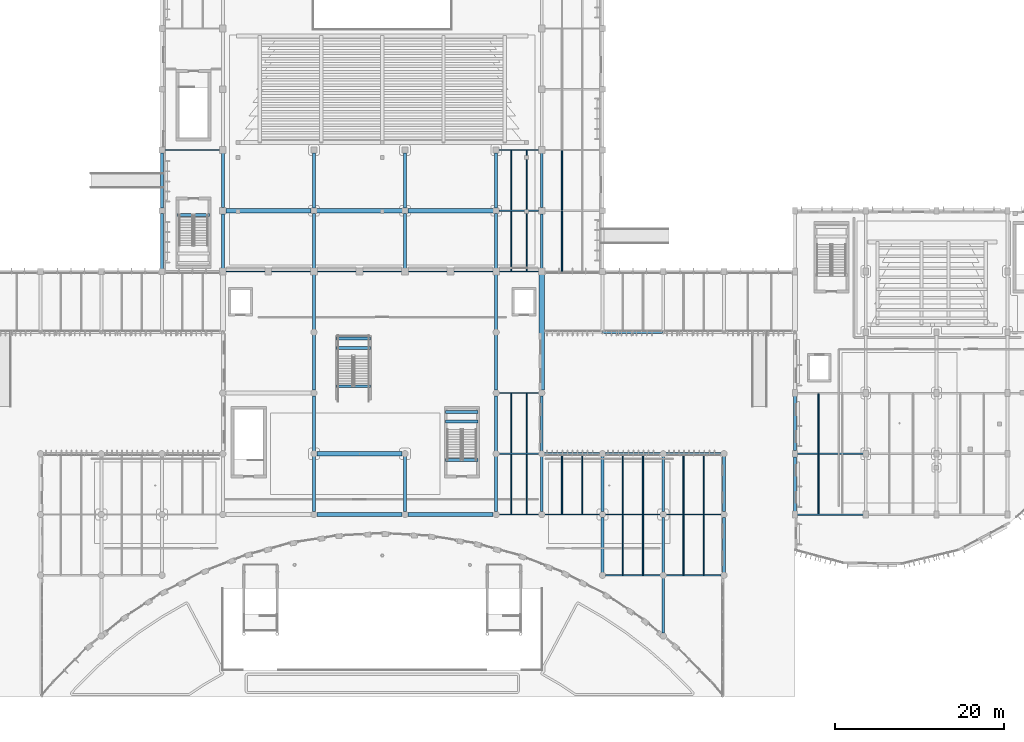
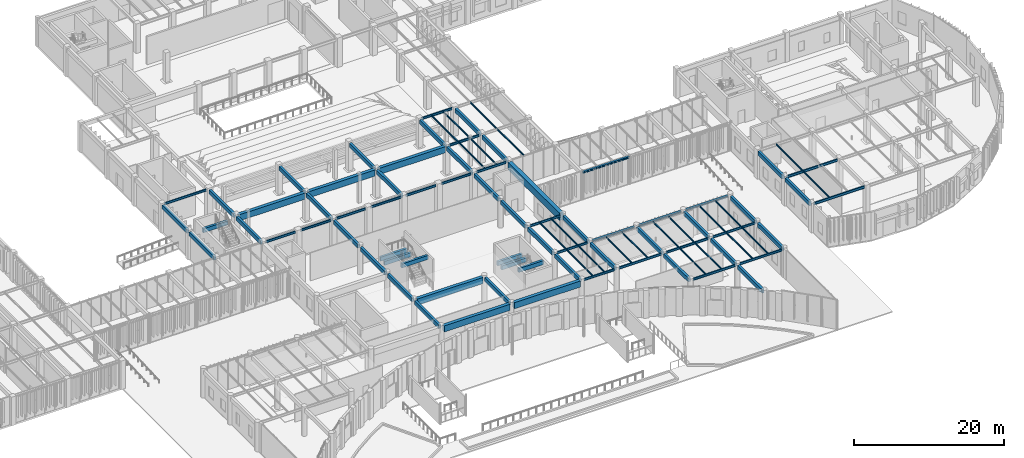
# One storey, part 11 of 122: 92 beams.
"""IFC4 building model written with IfcOpenShell, lengths in metres."""

from ifc_helpers import new_model, si_unit, direction, frame, origin, origin_2d, place, context, subcontext, project, spatial, rectangle, i_section, extrude, material, material_profile, profile_set, type_object, element, save


model = new_model("IFC4")

# Units and contexts
model_context = context("Model", 3, precision=1e-05, world=origin(), true_north=direction((0.0, 1.0)))
body_context = subcontext(model_context, "Body", "Model", "MODEL_VIEW")
ifc_project = project(units=[si_unit("LENGTHUNIT", "METRE"), si_unit("AREAUNIT", "SQUARE_METRE"), si_unit("VOLUMEUNIT", "CUBIC_METRE"), si_unit("PLANEANGLEUNIT", "RADIAN"), si_unit("MASSUNIT", "GRAM", prefix="KILO")], contexts=[model_context])

# Site, building, storey
site_placement = place(None, origin())
site = spatial("IfcSite", under=ifc_project, at=site_placement, CompositionType="ELEMENT")
building_placement = place(site_placement, origin())
building = spatial("IfcBuilding", under=site, at=building_placement, Name="Tazoul Stagehouse", CompositionType="ELEMENT")
storey_placement = place(building_placement, origin())
storey = spatial("IfcBuildingStorey", under=building, at=storey_placement, Name="L00", CompositionType="ELEMENT", Elevation=0.0)

# Beams
ifc_material_1 = material(Name="Concrete C40/50", Category="concrete")
ifc_material_profile_1 = material_profile(ifc_material_1, rectangle(XDim=0.60009765625, YDim=1.199951171875, at=origin_2d()), Name="RC 600x1200")
ifc_profile_set_1 = profile_set([ifc_material_profile_1], Name="Concrete C40/50")
beam_type_1 = type_object("IfcBeamType", Name="RC Long-Span Girder 600x1200 (Exterior)", PredefinedType="BEAM", material=ifc_profile_set_1)
beam_1_placement = place(storey_placement, frame((95.39990234375, 37.75, 3.93798828125), z_axis=(0.0, 1.0, 0.0), x_axis=(-1.0, 0.0, 0.0)))
element("IfcBeam", 1, at=beam_1_placement, inside=storey, type_object=beam_type_1, Name="L00 Beam BM-05E 15/F-H", PredefinedType="BEAM", context=body_context, shape_type="SweptSolid", body=[
    extrude(rectangle(XDim=0.60009765625, YDim=1.199951171875, at=origin_2d()), origin(), (0.0, 0.0, 1.0), 13.675048828125),
])
ifc_material_profile_2 = material_profile(ifc_material_1, rectangle(XDim=0.35009765625, YDim=0.64990234375, at=origin_2d()), Name="RC 350x650")
ifc_profile_set_2 = profile_set([ifc_material_profile_2], Name="Concrete C40/50")
beam_type_2 = type_object("IfcBeamType", Name="RC Perimeter Spandrel 350x650 (Exterior)", PredefinedType="SPANDREL", material=ifc_profile_set_2)
for number, where, z_axis, x_axis, name in (
    (2, (50.39990234375, 52.125, 4.212890625), (0.0, 1.0, 0.0), (-1.0, 0.0, 0.0), "L00 Beam SP-01E 7/H-J"),
    (3, (50.39990234375, 59.324951171875, 4.212890625), (0.0, 1.0, 0.0), (-1.0, 0.0, 0.0), "L00 Beam SP-01E 7/J-K"),
):
    element("IfcBeam", number, at=place(storey_placement, frame(where, z_axis=z_axis, x_axis=x_axis)), inside=storey, type_object=beam_type_2, Name=name, PredefinedType="SPANDREL", context=body_context, shape_type="SweptSolid", body=[
        extrude(rectangle(XDim=0.35009765625, YDim=0.64990234375, at=origin_2d()), origin(), (0.0, 0.0, 1.0), 6.550048828125),
    ])
for number, where, z_axis, x_axis, name in (
    (4, (95.39990234375, 30.550048828125, 4.212890625), (0.0, 1.0, 0.0), (-1.0, 0.0, 0.0), "L00 Beam SP-01E 15/E-F"),
    (5, (117.0, 16.14990234375, 4.212890625), (0.0, 1.0, 0.0), (-1.0, 0.0, 0.0), "L00 Beam SP-01E 18/C-D"),
    (6, (117.0, 23.35009765625, 4.212890625), (0.0, 1.0, 0.0), (-1.0, 0.0, 0.0), "L00 Beam SP-01E 18/D-E"),
):
    element("IfcBeam", number, at=place(storey_placement, frame(where, z_axis=z_axis, x_axis=x_axis)), inside=storey, type_object=beam_type_2, Name=name, PredefinedType="SPANDREL", context=body_context, shape_type="SweptSolid", body=[
        extrude(rectangle(XDim=0.35009765625, YDim=0.64990234375, at=origin_2d()), origin(), (0.0, 0.0, 1.0), 6.5),
    ])
for number, where, z_axis, x_axis, name in (
    (7, (125.39990234375, 23.375, 4.212890625), (0.0, 1.0, 0.0), (-1.0, 0.0, 0.0), "L00 Beam SP-01E 19/D-E"),
    (8, (125.39990234375, 30.574951171875, 4.212890625), (0.0, 1.0, 0.0), (-1.0, 0.0, 0.0), "L00 Beam SP-01E 19/E-F"),
):
    element("IfcBeam", number, at=place(storey_placement, frame(where, z_axis=z_axis, x_axis=x_axis)), inside=storey, type_object=beam_type_2, Name=name, PredefinedType="SPANDREL", context=body_context, shape_type="SweptSolid", body=[
        extrude(rectangle(XDim=0.35009765625, YDim=0.64990234375, at=origin_2d()), origin(), (0.0, 0.0, 1.0), 6.449951171875),
    ])
ifc_material_profile_3 = material_profile(ifc_material_1, rectangle(XDim=0.35009765625, YDim=0.64990234375, at=origin_2d()), Name="RC 350x650")
ifc_profile_set_3 = profile_set([ifc_material_profile_3], Name="Concrete C40/50")
beam_type_3 = type_object("IfcBeamType", Name="RC Primary Girder 350x650", PredefinedType="BEAM", material=ifc_profile_set_3)
for number, where, z_axis, x_axis, name in (
    (9, (57.60009765625, 52.175048828125, 4.212890625), (0.0, 1.0, 0.0), (-1.0, 0.0, 0.0), "L00 Beam BM-01 8/H-J"),
    (10, (57.60009765625, 59.375, 4.212890625), (0.0, 1.0, 0.0), (-1.0, 0.0, 0.0), "L00 Beam BM-01 8/J-K"),
):
    element("IfcBeam", number, at=place(storey_placement, frame(where, z_axis=z_axis, x_axis=x_axis)), inside=storey, type_object=beam_type_3, Name=name, PredefinedType="BEAM", context=body_context, shape_type="SweptSolid", body=[
        extrude(rectangle(XDim=0.35009765625, YDim=0.64990234375, at=origin_2d()), origin(), (0.0, 0.0, 1.0), 6.449951171875),
    ])
for number, where, z_axis, x_axis, name in (
    (11, (68.39990234375, 23.35009765625, 4.212890625), (0.0, 1.0, 0.0), (-1.0, 0.0, 0.0), "L00 Beam BM-01 10/D-E"),
    (12, (68.39990234375, 30.550048828125, 4.212890625), (0.0, 1.0, 0.0), (-1.0, 0.0, 0.0), "L00 Beam BM-01 10/E-F"),
    (13, (68.39990234375, 37.75, 4.212890625), (0.0, 1.0, 0.0), (-1.0, 0.0, 0.0), "L00 Beam BM-01 10/F-G"),
):
    element("IfcBeam", number, at=place(storey_placement, frame(where, z_axis=z_axis, x_axis=x_axis)), inside=storey, type_object=beam_type_3, Name=name, PredefinedType="BEAM", context=body_context, shape_type="SweptSolid", body=[
        extrude(rectangle(XDim=0.35009765625, YDim=0.64990234375, at=origin_2d()), origin(), (0.0, 0.0, 1.0), 6.5),
    ])
beam_2_placement = place(storey_placement, frame((68.39990234375, 44.949951171875, 4.212890625), z_axis=(0.0, 1.0, 0.0), x_axis=(-1.0, 0.0, 0.0)))
element("IfcBeam", 14, at=beam_2_placement, inside=storey, type_object=beam_type_3, Name="L00 Beam BM-01 10/G-H", PredefinedType="BEAM", context=body_context, shape_type="SweptSolid", body=[
    extrude(rectangle(XDim=0.35009765625, YDim=0.64990234375, at=origin_2d()), origin(), (0.0, 0.0, 1.0), 6.47509765625),
])
beam_3_placement = place(storey_placement, frame((68.39990234375, 52.175048828125, 4.212890625), z_axis=(0.0, 1.0, 0.0), x_axis=(-1.0, 0.0, 0.0)))
element("IfcBeam", 15, at=beam_3_placement, inside=storey, type_object=beam_type_3, Name="L00 Beam BM-01 10/H-J", PredefinedType="BEAM", context=body_context, shape_type="SweptSolid", body=[
    extrude(rectangle(XDim=0.35009765625, YDim=0.64990234375, at=origin_2d()), origin(), (0.0, 0.0, 1.0), 6.5),
])
beam_4_placement = place(storey_placement, frame((68.39990234375, 59.324951171875, 4.212890625), z_axis=(0.0, 1.0, 0.0), x_axis=(-1.0, 0.0, 0.0)))
element("IfcBeam", 16, at=beam_4_placement, inside=storey, type_object=beam_type_3, Name="L00 Beam BM-01 10/J-K", PredefinedType="BEAM", context=body_context, shape_type="SweptSolid", body=[
    extrude(rectangle(XDim=0.35009765625, YDim=0.64990234375, at=origin_2d()), origin(), (0.0, 0.0, 1.0), 6.550048828125),
])
for number, where, z_axis, x_axis, name in (
    (17, (79.199951171875, 23.35009765625, 4.212890625), (0.0, 1.0, 0.0), (-1.0, 0.0, 0.0), "L00 Beam BM-01 12/D-E"),
    (18, (79.199951171875, 52.175048828125, 4.212890625), (0.0, 1.0, 0.0), (-1.0, 0.0, 0.0), "L00 Beam BM-01 12/H-J"),
):
    element("IfcBeam", number, at=place(storey_placement, frame(where, z_axis=z_axis, x_axis=x_axis)), inside=storey, type_object=beam_type_3, Name=name, PredefinedType="BEAM", context=body_context, shape_type="SweptSolid", body=[
        extrude(rectangle(XDim=0.35009765625, YDim=0.64990234375, at=origin_2d()), origin(), (0.0, 0.0, 1.0), 6.5),
    ])
beam_5_placement = place(storey_placement, frame((79.199951171875, 59.324951171875, 4.212890625), z_axis=(0.0, 1.0, 0.0), x_axis=(-1.0, 0.0, 0.0)))
element("IfcBeam", 19, at=beam_5_placement, inside=storey, type_object=beam_type_3, Name="L00 Beam BM-01 12/J-K", PredefinedType="BEAM", context=body_context, shape_type="SweptSolid", body=[
    extrude(rectangle(XDim=0.35009765625, YDim=0.64990234375, at=origin_2d()), origin(), (0.0, 0.0, 1.0), 6.550048828125),
])
for number, where, z_axis, x_axis, name in (
    (20, (90.0, 23.35009765625, 4.212890625), (0.0, 1.0, 0.0), (-1.0, 0.0, 0.0), "L00 Beam BM-01 14/D-E"),
    (21, (90.0, 30.550048828125, 4.212890625), (0.0, 1.0, 0.0), (-1.0, 0.0, 0.0), "L00 Beam BM-01 14/E-F"),
    (22, (90.0, 37.75, 4.212890625), (0.0, 1.0, 0.0), (-1.0, 0.0, 0.0), "L00 Beam BM-01 14/F-G"),
):
    element("IfcBeam", number, at=place(storey_placement, frame(where, z_axis=z_axis, x_axis=x_axis)), inside=storey, type_object=beam_type_3, Name=name, PredefinedType="BEAM", context=body_context, shape_type="SweptSolid", body=[
        extrude(rectangle(XDim=0.35009765625, YDim=0.64990234375, at=origin_2d()), origin(), (0.0, 0.0, 1.0), 6.5),
    ])
beam_6_placement = place(storey_placement, frame((90.0, 44.949951171875, 4.212890625), z_axis=(0.0, 1.0, 0.0), x_axis=(-1.0, 0.0, 0.0)))
element("IfcBeam", 23, at=beam_6_placement, inside=storey, type_object=beam_type_3, Name="L00 Beam BM-01 14/G-H", PredefinedType="BEAM", context=body_context, shape_type="SweptSolid", body=[
    extrude(rectangle(XDim=0.35009765625, YDim=0.64990234375, at=origin_2d()), origin(), (0.0, 0.0, 1.0), 6.47509765625),
])
beam_7_placement = place(storey_placement, frame((90.0, 52.175048828125, 4.212890625), z_axis=(0.0, 1.0, 0.0), x_axis=(-1.0, 0.0, 0.0)))
element("IfcBeam", 24, at=beam_7_placement, inside=storey, type_object=beam_type_3, Name="L00 Beam BM-01 14/H-J", PredefinedType="BEAM", context=body_context, shape_type="SweptSolid", body=[
    extrude(rectangle(XDim=0.35009765625, YDim=0.64990234375, at=origin_2d()), origin(), (0.0, 0.0, 1.0), 6.5),
])
beam_8_placement = place(storey_placement, frame((90.0, 59.324951171875, 4.212890625), z_axis=(0.0, 1.0, 0.0), x_axis=(-1.0, 0.0, 0.0)))
element("IfcBeam", 25, at=beam_8_placement, inside=storey, type_object=beam_type_3, Name="L00 Beam BM-01 14/J-K", PredefinedType="BEAM", context=body_context, shape_type="SweptSolid", body=[
    extrude(rectangle(XDim=0.35009765625, YDim=0.64990234375, at=origin_2d()), origin(), (0.0, 0.0, 1.0), 6.550048828125),
])
beam_9_placement = place(storey_placement, frame((95.39990234375, 23.35009765625, 4.212890625), z_axis=(0.0, 1.0, 0.0), x_axis=(-1.0, 0.0, 0.0)))
element("IfcBeam", 26, at=beam_9_placement, inside=storey, type_object=beam_type_3, Name="L00 Beam BM-01 15/D-E", PredefinedType="BEAM", context=body_context, shape_type="SweptSolid", body=[
    extrude(rectangle(XDim=0.35009765625, YDim=0.64990234375, at=origin_2d()), origin(), (0.0, 0.0, 1.0), 6.5),
])
for number, where, z_axis, x_axis, name in (
    (27, (95.39990234375, 52.175048828125, 4.212890625), (0.0, 1.0, 0.0), (-1.0, 0.0, 0.0), "L00 Beam BM-01 15/H-J"),
    (28, (95.39990234375, 59.375, 4.212890625), (0.0, 1.0, 0.0), (-1.0, 0.0, 0.0), "L00 Beam BM-01 15/J-K"),
):
    element("IfcBeam", number, at=place(storey_placement, frame(where, z_axis=z_axis, x_axis=x_axis)), inside=storey, type_object=beam_type_3, Name=name, PredefinedType="BEAM", context=body_context, shape_type="SweptSolid", body=[
        extrude(rectangle(XDim=0.35009765625, YDim=0.64990234375, at=origin_2d()), origin(), (0.0, 0.0, 1.0), 6.449951171875),
    ])
for number, where, z_axis, x_axis, name in (
    (29, (102.60009765625, 16.14990234375, 4.212890625), (0.0, 1.0, 0.0), (-1.0, 0.0, 0.0), "L00 Beam BM-01 16/C-D"),
    (30, (102.60009765625, 23.35009765625, 4.212890625), (0.0, 1.0, 0.0), (-1.0, 0.0, 0.0), "L00 Beam BM-01 16/D-E"),
    (31, (109.800048828125, 8.949951171875, 4.212890625), (0.0, 1.0, 0.0), (-1.0, 0.0, 0.0), "L00 Beam BM-01 17/B-C"),
    (32, (109.800048828125, 16.14990234375, 4.212890625), (0.0, 1.0, 0.0), (-1.0, 0.0, 0.0), "L00 Beam BM-01 17/C-D"),
    (33, (109.800048828125, 23.35009765625, 4.212890625), (0.0, 1.0, 0.0), (-1.0, 0.0, 0.0), "L00 Beam BM-01 17/D-E"),
):
    element("IfcBeam", number, at=place(storey_placement, frame(where, z_axis=z_axis, x_axis=x_axis)), inside=storey, type_object=beam_type_3, Name=name, PredefinedType="BEAM", context=body_context, shape_type="SweptSolid", body=[
        extrude(rectangle(XDim=0.35009765625, YDim=0.64990234375, at=origin_2d()), origin(), (0.0, 0.0, 1.0), 6.5),
    ])
for number, where, z_axis, x_axis, name in (
    (34, (52.219970703125, 58.489990234375, 4.215087890625), (1.0, 0.0, 0.0), (0.0, 1.0, 0.0), "L00 Stair Landing Trimmer BM-01 (ST-05-FL)"),
    (35, (84.02001953125, 34.030029296875, 1.8798828125), (1.0, 0.0, 0.0), (0.0, 1.0, 0.0), "L00 Stair Half-Landing Trimmer BM-01 (ST-08-1)"),
    (36, (84.02001953125, 35.1298828125, 1.8798828125), (1.0, 0.0, 0.0), (0.0, 1.0, 0.0), "L00 Stair Half-Landing Trimmer BM-01 (ST-08-2)"),
    (37, (84.02001953125, 29.47998046875, 4.215087890625), (1.0, 0.0, 0.0), (0.0, 1.0, 0.0), "L00 Stair Landing Trimmer BM-01 (ST-08-FL)"),
):
    element("IfcBeam", number, at=place(storey_placement, frame(where, z_axis=z_axis, x_axis=x_axis)), inside=storey, type_object=beam_type_3, Name=name, PredefinedType="BEAM", context=body_context, shape_type="SweptSolid", body=[
        extrude(rectangle(XDim=0.35009765625, YDim=0.64990234375, at=origin_2d()), origin(), (0.0, 0.0, 1.0), 3.81005859375),
    ])
for number, where, z_axis, x_axis, name in (
    (38, (71.02001953125, 42.75, 1.8798828125), (1.0, 0.0, 0.0), (0.0, 1.0, 0.0), "L00 Stair Half-Landing Trimmer BM-01 (ST-ATR-01-1)"),
    (39, (71.02001953125, 43.85009765625, 1.8798828125), (1.0, 0.0, 0.0), (0.0, 1.0, 0.0), "L00 Stair Half-Landing Trimmer BM-01 (ST-ATR-01-2)"),
    (40, (71.02001953125, 38.199951171875, 4.215087890625), (1.0, 0.0, 0.0), (0.0, 1.0, 0.0), "L00 Stair Landing Trimmer BM-01 (ST-ATR-01-FL)"),
):
    element("IfcBeam", number, at=place(storey_placement, frame(where, z_axis=z_axis, x_axis=x_axis)), inside=storey, type_object=beam_type_3, Name=name, PredefinedType="BEAM", context=body_context, shape_type="SweptSolid", body=[
        extrude(rectangle(XDim=0.35009765625, YDim=0.64990234375, at=origin_2d()), origin(), (0.0, 0.0, 1.0), 4.10986328125),
    ])
ifc_material_profile_4 = material_profile(ifc_material_1, rectangle(XDim=0.5, YDim=1.0, at=origin_2d()), Name="RC 500x1000")
ifc_profile_set_4 = profile_set([ifc_material_profile_4], Name="Concrete C40/50")
beam_type_4 = type_object("IfcBeamType", Name="RC Transfer Girder 500x1000", PredefinedType="BEAM", material=ifc_profile_set_4)
beam_10_placement = place(storey_placement, frame((68.75, 23.0, 4.0380859375), z_axis=(1.0, 0.0, 0.0), x_axis=(0.0, 1.0, 0.0)))
element("IfcBeam", 41, at=beam_10_placement, inside=storey, type_object=beam_type_4, Name="L00 Beam BM-04 D/10-12", PredefinedType="BEAM", context=body_context, shape_type="SweptSolid", body=[
    extrude(rectangle(XDim=0.5, YDim=1.0, at=origin_2d()), origin(), (0.0, 0.0, 1.0), 10.10009765625),
])
beam_11_placement = place(storey_placement, frame((79.550048828125, 23.0, 4.0380859375), z_axis=(1.0, 0.0, 0.0), x_axis=(0.0, 1.0, 0.0)))
element("IfcBeam", 42, at=beam_11_placement, inside=storey, type_object=beam_type_4, Name="L00 Beam BM-04 D/12-14", PredefinedType="BEAM", context=body_context, shape_type="SweptSolid", body=[
    extrude(rectangle(XDim=0.5, YDim=1.0, at=origin_2d()), origin(), (0.0, 0.0, 1.0), 10.099853515625),
])
beam_12_placement = place(storey_placement, frame((68.75, 30.199951171875, 4.0380859375), z_axis=(1.0, 0.0, 0.0), x_axis=(0.0, 1.0, 0.0)))
element("IfcBeam", 43, at=beam_12_placement, inside=storey, type_object=beam_type_4, Name="L00 Beam BM-04 E/10-12", PredefinedType="BEAM", context=body_context, shape_type="SweptSolid", body=[
    extrude(rectangle(XDim=0.5, YDim=1.0, at=origin_2d()), origin(), (0.0, 0.0, 1.0), 10.10009765625),
])
beam_13_placement = place(storey_placement, frame((57.97509765625, 59.0, 4.0380859375), z_axis=(1.0, 0.0, 0.0), x_axis=(0.0, 1.0, 0.0)))
element("IfcBeam", 44, at=beam_13_placement, inside=storey, type_object=beam_type_4, Name="L00 Beam BM-04 J/8-10", PredefinedType="BEAM", context=body_context, shape_type="SweptSolid", body=[
    extrude(rectangle(XDim=0.5, YDim=1.0, at=origin_2d()), origin(), (0.0, 0.0, 1.0), 10.099853515625),
])
beam_14_placement = place(storey_placement, frame((68.72509765625, 59.0, 4.0380859375), z_axis=(1.0, 0.0, 0.0), x_axis=(0.0, 1.0, 0.0)))
element("IfcBeam", 45, at=beam_14_placement, inside=storey, type_object=beam_type_4, Name="L00 Beam BM-04 J/10-12", PredefinedType="BEAM", context=body_context, shape_type="SweptSolid", body=[
    extrude(rectangle(XDim=0.5, YDim=1.0, at=origin_2d()), origin(), (0.0, 0.0, 1.0), 10.14990234375),
])
beam_15_placement = place(storey_placement, frame((79.52490234375, 59.0, 4.0380859375), z_axis=(1.0, 0.0, 0.0), x_axis=(0.0, 1.0, 0.0)))
element("IfcBeam", 46, at=beam_15_placement, inside=storey, type_object=beam_type_4, Name="L00 Beam BM-04 J/12-14", PredefinedType="BEAM", context=body_context, shape_type="SweptSolid", body=[
    extrude(rectangle(XDim=0.5, YDim=1.0, at=origin_2d()), origin(), (0.0, 0.0, 1.0), 10.150146484375),
])
ifc_material_2 = material(Name="Steel S355", Category="steel")
ifc_material_profile_5 = material_profile(ifc_material_2, i_section(OverallWidth=0.300048828125, OverallDepth=0.2900390625, WebThickness=0.008544921875, FlangeThickness=0.013916015625, FilletRadius=0.027099609375, at=origin_2d()), Name="HEA 300")
ifc_profile_set_5 = profile_set([ifc_material_profile_5], Name="Steel S355")
beam_type_5 = type_object("IfcBeamType", Name="Steel Crescent Spandrel HEA 300 (Exterior)", PredefinedType="SPANDREL", material=ifc_profile_set_5)
for number, where, z_axis, x_axis, name in (
    (47, (95.75, 30.199951171875, 4.39306640625), (1.0, 0.0, 0.0), (0.0, 1.0, 0.0), "L00 Beam SP-03E E/15-16"),
    (48, (102.949951171875, 30.199951171875, 4.39306640625), (1.0, 0.0, 0.0), (0.0, 1.0, 0.0), "L00 Beam SP-03E E/16-17"),
    (49, (110.14990234375, 30.199951171875, 4.39306640625), (1.0, 0.0, 0.0), (0.0, 1.0, 0.0), "L00 Beam SP-03E E/17-18"),
):
    element("IfcBeam", number, at=place(storey_placement, frame(where, z_axis=z_axis, x_axis=x_axis)), inside=storey, type_object=beam_type_5, Name=name, PredefinedType="SPANDREL", context=body_context, shape_type="SweptSolid", body=[
        extrude(i_section(OverallWidth=0.300048828125, OverallDepth=0.2900390625, WebThickness=0.008544921875, FlangeThickness=0.013916015625, FilletRadius=0.027099609375, at=origin_2d()), origin(), (0.0, 0.0, 1.0), 6.5),
    ])
beam_16_placement = place(storey_placement, frame((102.610107421875, 44.60009765625, 4.4130859375), z_axis=(1.0, 0.0, 0.0), x_axis=(0.0, 1.0, 0.0)))
element("IfcBeam", 50, at=beam_16_placement, inside=storey, type_object=beam_type_5, Name="L00 Beam SP-03E G/16-17", PredefinedType="SPANDREL", context=body_context, shape_type="SweptSolid", body=[
    extrude(i_section(OverallWidth=0.300048828125, OverallDepth=0.2900390625, WebThickness=0.008544921875, FlangeThickness=0.013916015625, FilletRadius=0.027099609375, at=origin_2d()), origin(), (0.0, 0.0, 1.0), 7.179931640625),
])
ifc_material_profile_6 = material_profile(ifc_material_2, i_section(OverallWidth=0.1201171875, OverallDepth=0.239990234375, WebThickness=0.006103515625, FlangeThickness=0.009765625, FilletRadius=0.014892578125, at=origin_2d()), Name="IPE 240")
ifc_profile_set_6 = profile_set([ifc_material_profile_6], Name="Steel S355")
beam_type_6 = type_object("IfcBeamType", Name="Steel Floor Joist IPE 240", PredefinedType="JOIST", material=ifc_profile_set_6)
for number, where, z_axis, x_axis, name in (
    (51, (105.0, 15.860107421875, 4.41796875), (0.0, 1.0, 0.0), (-1.0, 0.0, 0.0), "L00 Joist JS-01 16/C-1"),
    (52, (107.39990234375, 15.860107421875, 4.41796875), (0.0, 1.0, 0.0), (-1.0, 0.0, 0.0), "L00 Joist JS-01 16/C-2"),
    (53, (112.199951171875, 15.860107421875, 4.41796875), (0.0, 1.0, 0.0), (-1.0, 0.0, 0.0), "L00 Joist JS-01 17/C-1"),
    (54, (114.60009765625, 15.860107421875, 4.41796875), (0.0, 1.0, 0.0), (-1.0, 0.0, 0.0), "L00 Joist JS-01 17/C-2"),
    (55, (91.800048828125, 23.06005859375, 4.41796875), (0.0, 1.0, 0.0), (-1.0, 0.0, 0.0), "L00 Joist JS-01 14/D-1"),
    (56, (93.60009765625, 23.06005859375, 4.41796875), (0.0, 1.0, 0.0), (-1.0, 0.0, 0.0), "L00 Joist JS-01 14/D-2"),
):
    element("IfcBeam", number, at=place(storey_placement, frame(where, z_axis=z_axis, x_axis=x_axis)), inside=storey, type_object=beam_type_6, Name=name, PredefinedType="JOIST", context=body_context, shape_type="SweptSolid", body=[
        extrude(i_section(OverallWidth=0.1201171875, OverallDepth=0.239990234375, WebThickness=0.006103515625, FlangeThickness=0.009765625, FilletRadius=0.014892578125, at=origin_2d()), origin(), (0.0, 0.0, 1.0), 7.079833984375),
    ])
for number, where, z_axis, x_axis, name in (
    (57, (97.800048828125, 23.06005859375, 4.41796875), (0.0, 1.0, 0.0), (-1.0, 0.0, 0.0), "L00 Joist JS-01 15/D-1"),
    (58, (100.199951171875, 23.06005859375, 4.41796875), (0.0, 1.0, 0.0), (-1.0, 0.0, 0.0), "L00 Joist JS-01 15/D-2"),
    (59, (105.0, 23.06005859375, 4.41796875), (0.0, 1.0, 0.0), (-1.0, 0.0, 0.0), "L00 Joist JS-01 16/D-1"),
    (60, (107.39990234375, 23.06005859375, 4.41796875), (0.0, 1.0, 0.0), (-1.0, 0.0, 0.0), "L00 Joist JS-01 16/D-2"),
    (61, (112.199951171875, 23.06005859375, 4.41796875), (0.0, 1.0, 0.0), (-1.0, 0.0, 0.0), "L00 Joist JS-01 17/D-1"),
    (62, (114.60009765625, 23.06005859375, 4.41796875), (0.0, 1.0, 0.0), (-1.0, 0.0, 0.0), "L00 Joist JS-01 17/D-2"),
):
    element("IfcBeam", number, at=place(storey_placement, frame(where, z_axis=z_axis, x_axis=x_axis)), inside=storey, type_object=beam_type_6, Name=name, PredefinedType="JOIST", context=body_context, shape_type="SweptSolid", body=[
        extrude(i_section(OverallWidth=0.1201171875, OverallDepth=0.239990234375, WebThickness=0.006103515625, FlangeThickness=0.009765625, FilletRadius=0.014892578125, at=origin_2d()), origin(), (0.0, 0.0, 1.0), 7.014892578125),
    ])
beam_17_placement = place(storey_placement, frame((128.199951171875, 23.06494140625, 4.41796875), z_axis=(0.0, 1.0, 0.0), x_axis=(-1.0, 0.0, 0.0)))
element("IfcBeam", 63, at=beam_17_placement, inside=storey, type_object=beam_type_6, Name="L00 Joist JS-01 19/D-1", PredefinedType="JOIST", context=body_context, shape_type="SweptSolid", body=[
    extrude(i_section(OverallWidth=0.1201171875, OverallDepth=0.239990234375, WebThickness=0.006103515625, FlangeThickness=0.009765625, FilletRadius=0.014892578125, at=origin_2d()), origin(), (0.0, 0.0, 1.0), 7.070068359375),
])
for number, where, z_axis, x_axis, name in (
    (64, (91.800048828125, 30.260009765625, 4.41796875), (0.0, 1.0, 0.0), (-1.0, 0.0, 0.0), "L00 Joist JS-01 14/E-1"),
    (65, (93.60009765625, 30.260009765625, 4.41796875), (0.0, 1.0, 0.0), (-1.0, 0.0, 0.0), "L00 Joist JS-01 14/E-2"),
):
    element("IfcBeam", number, at=place(storey_placement, frame(where, z_axis=z_axis, x_axis=x_axis)), inside=storey, type_object=beam_type_6, Name=name, PredefinedType="JOIST", context=body_context, shape_type="SweptSolid", body=[
        extrude(i_section(OverallWidth=0.1201171875, OverallDepth=0.239990234375, WebThickness=0.006103515625, FlangeThickness=0.009765625, FilletRadius=0.014892578125, at=origin_2d()), origin(), (0.0, 0.0, 1.0), 7.080078125),
    ])
beam_18_placement = place(storey_placement, frame((128.199951171875, 30.264892578125, 4.41796875), z_axis=(0.0, 1.0, 0.0), x_axis=(-1.0, 0.0, 0.0)))
element("IfcBeam", 66, at=beam_18_placement, inside=storey, type_object=beam_type_6, Name="L00 Joist JS-01 19/E-1", PredefinedType="JOIST", context=body_context, shape_type="SweptSolid", body=[
    extrude(i_section(OverallWidth=0.1201171875, OverallDepth=0.239990234375, WebThickness=0.006103515625, FlangeThickness=0.009765625, FilletRadius=0.014892578125, at=origin_2d()), origin(), (0.0, 0.0, 1.0), 7.070068359375),
])
for number, where, z_axis, x_axis, name in (
    (67, (91.800048828125, 51.860107421875, 4.41796875), (0.0, 1.0, 0.0), (-1.0, 0.0, 0.0), "L00 Joist JS-01 14/H-1"),
    (68, (93.60009765625, 51.860107421875, 4.41796875), (0.0, 1.0, 0.0), (-1.0, 0.0, 0.0), "L00 Joist JS-01 14/H-2"),
    (69, (97.800048828125, 51.860107421875, 4.41796875), (0.0, 1.0, 0.0), (-1.0, 0.0, 0.0), "L00 Joist JS-01 15/H-1"),
    (70, (91.800048828125, 59.06005859375, 4.41796875), (0.0, 1.0, 0.0), (-1.0, 0.0, 0.0), "L00 Joist JS-01 14/J-1"),
    (71, (93.60009765625, 59.06005859375, 4.41796875), (0.0, 1.0, 0.0), (-1.0, 0.0, 0.0), "L00 Joist JS-01 14/J-2"),
    (72, (97.800048828125, 59.06005859375, 4.41796875), (0.0, 1.0, 0.0), (-1.0, 0.0, 0.0), "L00 Joist JS-01 15/J-1"),
):
    element("IfcBeam", number, at=place(storey_placement, frame(where, z_axis=z_axis, x_axis=x_axis)), inside=storey, type_object=beam_type_6, Name=name, PredefinedType="JOIST", context=body_context, shape_type="SweptSolid", body=[
        extrude(i_section(OverallWidth=0.1201171875, OverallDepth=0.239990234375, WebThickness=0.006103515625, FlangeThickness=0.009765625, FilletRadius=0.014892578125, at=origin_2d()), origin(), (0.0, 0.0, 1.0), 7.079833984375),
    ])
ifc_material_profile_7 = material_profile(ifc_material_2, i_section(OverallWidth=0.169921875, OverallDepth=0.360107421875, WebThickness=0.008056640625, FlangeThickness=0.0126953125, FilletRadius=0.01806640625, at=origin_2d()), Name="IPE 360")
ifc_profile_set_7 = profile_set([ifc_material_profile_7], Name="Steel S355")
beam_type_7 = type_object("IfcBeamType", Name="Steel Primary Girder IPE 360", PredefinedType="BEAM", material=ifc_profile_set_7)
for number, where, z_axis, x_axis, name in (
    (73, (102.949951171875, 15.800048828125, 4.35791015625), (1.0, 0.0, 0.0), (0.0, 1.0, 0.0), "L00 Beam SB-01 C/16-17"),
    (74, (110.14990234375, 15.800048828125, 4.35791015625), (1.0, 0.0, 0.0), (0.0, 1.0, 0.0), "L00 Beam SB-01 C/17-18"),
):
    element("IfcBeam", number, at=place(storey_placement, frame(where, z_axis=z_axis, x_axis=x_axis)), inside=storey, type_object=beam_type_7, Name=name, PredefinedType="BEAM", context=body_context, shape_type="SweptSolid", body=[
        extrude(i_section(OverallWidth=0.169921875, OverallDepth=0.360107421875, WebThickness=0.008056640625, FlangeThickness=0.0126953125, FilletRadius=0.01806640625, at=origin_2d()), origin(), (0.0, 0.0, 1.0), 6.5),
    ])
beam_19_placement = place(storey_placement, frame((90.35009765625, 23.0, 4.35791015625), z_axis=(1.0, 0.0, 0.0), x_axis=(0.0, 1.0, 0.0)))
element("IfcBeam", 75, at=beam_19_placement, inside=storey, type_object=beam_type_7, Name="L00 Beam SB-01 D/14-15", PredefinedType="BEAM", context=body_context, shape_type="SweptSolid", body=[
    extrude(i_section(OverallWidth=0.169921875, OverallDepth=0.360107421875, WebThickness=0.008056640625, FlangeThickness=0.0126953125, FilletRadius=0.01806640625, at=origin_2d()), origin(), (0.0, 0.0, 1.0), 4.699951171875),
])
for number, where, z_axis, x_axis, name in (
    (76, (95.75, 23.0, 4.35791015625), (1.0, 0.0, 0.0), (0.0, 1.0, 0.0), "L00 Beam SB-01 D/15-16"),
    (77, (102.949951171875, 23.0, 4.35791015625), (1.0, 0.0, 0.0), (0.0, 1.0, 0.0), "L00 Beam SB-01 D/16-17"),
    (78, (110.14990234375, 23.0, 4.35791015625), (1.0, 0.0, 0.0), (0.0, 1.0, 0.0), "L00 Beam SB-01 D/17-18"),
):
    element("IfcBeam", number, at=place(storey_placement, frame(where, z_axis=z_axis, x_axis=x_axis)), inside=storey, type_object=beam_type_7, Name=name, PredefinedType="BEAM", context=body_context, shape_type="SweptSolid", body=[
        extrude(i_section(OverallWidth=0.169921875, OverallDepth=0.360107421875, WebThickness=0.008056640625, FlangeThickness=0.0126953125, FilletRadius=0.01806640625, at=origin_2d()), origin(), (0.0, 0.0, 1.0), 6.5),
    ])
for number, where, z_axis, x_axis, name in (
    (79, (90.35009765625, 30.199951171875, 4.35791015625), (1.0, 0.0, 0.0), (0.0, 1.0, 0.0), "L00 Beam SB-01 E/14-15"),
    (80, (90.35009765625, 37.39990234375, 4.35791015625), (1.0, 0.0, 0.0), (0.0, 1.0, 0.0), "L00 Beam SB-01 F/14-15"),
):
    element("IfcBeam", number, at=place(storey_placement, frame(where, z_axis=z_axis, x_axis=x_axis)), inside=storey, type_object=beam_type_7, Name=name, PredefinedType="BEAM", context=body_context, shape_type="SweptSolid", body=[
        extrude(i_section(OverallWidth=0.169921875, OverallDepth=0.360107421875, WebThickness=0.008056640625, FlangeThickness=0.0126953125, FilletRadius=0.01806640625, at=origin_2d()), origin(), (0.0, 0.0, 1.0), 4.699951171875),
    ])
for number, where, z_axis, x_axis, name in (
    (81, (57.97509765625, 51.800048828125, 4.35791015625), (1.0, 0.0, 0.0), (0.0, 1.0, 0.0), "L00 Beam SB-01 H/8-9"),
    (82, (63.375, 51.800048828125, 4.35791015625), (1.0, 0.0, 0.0), (0.0, 1.0, 0.0), "L00 Beam SB-01 H/9-10"),
):
    element("IfcBeam", number, at=place(storey_placement, frame(where, z_axis=z_axis, x_axis=x_axis)), inside=storey, type_object=beam_type_7, Name=name, PredefinedType="BEAM", context=body_context, shape_type="SweptSolid", body=[
        extrude(i_section(OverallWidth=0.169921875, OverallDepth=0.360107421875, WebThickness=0.008056640625, FlangeThickness=0.0126953125, FilletRadius=0.01806640625, at=origin_2d()), origin(), (0.0, 0.0, 1.0), 4.64990234375),
    ])
beam_20_placement = place(storey_placement, frame((68.77490234375, 51.800048828125, 4.35791015625), z_axis=(1.0, 0.0, 0.0), x_axis=(0.0, 1.0, 0.0)))
element("IfcBeam", 83, at=beam_20_placement, inside=storey, type_object=beam_type_7, Name="L00 Beam SB-01 H/10-11", PredefinedType="BEAM", context=body_context, shape_type="SweptSolid", body=[
    extrude(i_section(OverallWidth=0.169921875, OverallDepth=0.360107421875, WebThickness=0.008056640625, FlangeThickness=0.0126953125, FilletRadius=0.01806640625, at=origin_2d()), origin(), (0.0, 0.0, 1.0), 4.650146484375),
])
beam_21_placement = place(storey_placement, frame((74.175048828125, 51.800048828125, 4.35791015625), z_axis=(1.0, 0.0, 0.0), x_axis=(0.0, 1.0, 0.0)))
element("IfcBeam", 84, at=beam_21_placement, inside=storey, type_object=beam_type_7, Name="L00 Beam SB-01 H/11-12", PredefinedType="BEAM", context=body_context, shape_type="SweptSolid", body=[
    extrude(i_section(OverallWidth=0.169921875, OverallDepth=0.360107421875, WebThickness=0.008056640625, FlangeThickness=0.0126953125, FilletRadius=0.01806640625, at=origin_2d()), origin(), (0.0, 0.0, 1.0), 4.64990234375),
])
beam_22_placement = place(storey_placement, frame((79.574951171875, 51.800048828125, 4.35791015625), z_axis=(1.0, 0.0, 0.0), x_axis=(0.0, 1.0, 0.0)))
element("IfcBeam", 85, at=beam_22_placement, inside=storey, type_object=beam_type_7, Name="L00 Beam SB-01 H/12-13", PredefinedType="BEAM", context=body_context, shape_type="SweptSolid", body=[
    extrude(i_section(OverallWidth=0.169921875, OverallDepth=0.360107421875, WebThickness=0.008056640625, FlangeThickness=0.0126953125, FilletRadius=0.01806640625, at=origin_2d()), origin(), (0.0, 0.0, 1.0), 4.650146484375),
])
for number, where, z_axis, x_axis, name in (
    (86, (84.97509765625, 51.800048828125, 4.35791015625), (1.0, 0.0, 0.0), (0.0, 1.0, 0.0), "L00 Beam SB-01 H/13-14"),
    (87, (90.375, 51.800048828125, 4.35791015625), (1.0, 0.0, 0.0), (0.0, 1.0, 0.0), "L00 Beam SB-01 H/14-15"),
):
    element("IfcBeam", number, at=place(storey_placement, frame(where, z_axis=z_axis, x_axis=x_axis)), inside=storey, type_object=beam_type_7, Name=name, PredefinedType="BEAM", context=body_context, shape_type="SweptSolid", body=[
        extrude(i_section(OverallWidth=0.169921875, OverallDepth=0.360107421875, WebThickness=0.008056640625, FlangeThickness=0.0126953125, FilletRadius=0.01806640625, at=origin_2d()), origin(), (0.0, 0.0, 1.0), 4.64990234375),
    ])
beam_23_placement = place(storey_placement, frame((90.324951171875, 59.0, 4.35791015625), z_axis=(1.0, 0.0, 0.0), x_axis=(0.0, 1.0, 0.0)))
element("IfcBeam", 88, at=beam_23_placement, inside=storey, type_object=beam_type_7, Name="L00 Beam SB-01 J/14-15", PredefinedType="BEAM", context=body_context, shape_type="SweptSolid", body=[
    extrude(i_section(OverallWidth=0.169921875, OverallDepth=0.360107421875, WebThickness=0.008056640625, FlangeThickness=0.0126953125, FilletRadius=0.01806640625, at=origin_2d()), origin(), (0.0, 0.0, 1.0), 4.699951171875),
])
beam_24_placement = place(storey_placement, frame((50.72509765625, 66.199951171875, 4.35791015625), z_axis=(1.0, 0.0, 0.0), x_axis=(0.0, 1.0, 0.0)))
element("IfcBeam", 89, at=beam_24_placement, inside=storey, type_object=beam_type_7, Name="L00 Beam SB-01 K/7-8", PredefinedType="BEAM", context=body_context, shape_type="SweptSolid", body=[
    extrude(i_section(OverallWidth=0.169921875, OverallDepth=0.360107421875, WebThickness=0.008056640625, FlangeThickness=0.0126953125, FilletRadius=0.01806640625, at=origin_2d()), origin(), (0.0, 0.0, 1.0), 6.5),
])
beam_25_placement = place(storey_placement, frame((90.324951171875, 66.199951171875, 4.35791015625), z_axis=(1.0, 0.0, 0.0), x_axis=(0.0, 1.0, 0.0)))
element("IfcBeam", 90, at=beam_25_placement, inside=storey, type_object=beam_type_7, Name="L00 Beam SB-01 K/14-15", PredefinedType="BEAM", context=body_context, shape_type="SweptSolid", body=[
    extrude(i_section(OverallWidth=0.169921875, OverallDepth=0.360107421875, WebThickness=0.008056640625, FlangeThickness=0.0126953125, FilletRadius=0.01806640625, at=origin_2d()), origin(), (0.0, 0.0, 1.0), 4.699951171875),
])
ifc_material_profile_8 = material_profile(ifc_material_2, i_section(OverallWidth=0.179931640625, OverallDepth=0.39990234375, WebThickness=0.008544921875, FlangeThickness=0.013427734375, FilletRadius=0.02099609375, at=origin_2d()), Name="IPE 400")
ifc_profile_set_8 = profile_set([ifc_material_profile_8], Name="Steel S355")
beam_type_8 = type_object("IfcBeamType", Name="Steel Primary Girder IPE 400", PredefinedType="BEAM", material=ifc_profile_set_8)
for number, where, z_axis, x_axis, name in (
    (91, (125.675048828125, 23.0, 4.337890625), (1.0, 0.0, 0.0), (0.0, 1.0, 0.0), "L00 Beam SB-02 D/19-20"),
    (92, (125.675048828125, 30.199951171875, 4.337890625), (1.0, 0.0, 0.0), (0.0, 1.0, 0.0), "L00 Beam SB-02 E/19-20"),
):
    element("IfcBeam", number, at=place(storey_placement, frame(where, z_axis=z_axis, x_axis=x_axis)), inside=storey, type_object=beam_type_8, Name=name, PredefinedType="BEAM", context=body_context, shape_type="SweptSolid", body=[
        extrude(i_section(OverallWidth=0.179931640625, OverallDepth=0.39990234375, WebThickness=0.008544921875, FlangeThickness=0.013427734375, FilletRadius=0.02099609375, at=origin_2d()), origin(), (0.0, 0.0, 1.0), 7.849853515625),
    ])

save(model, "model.ifc")
